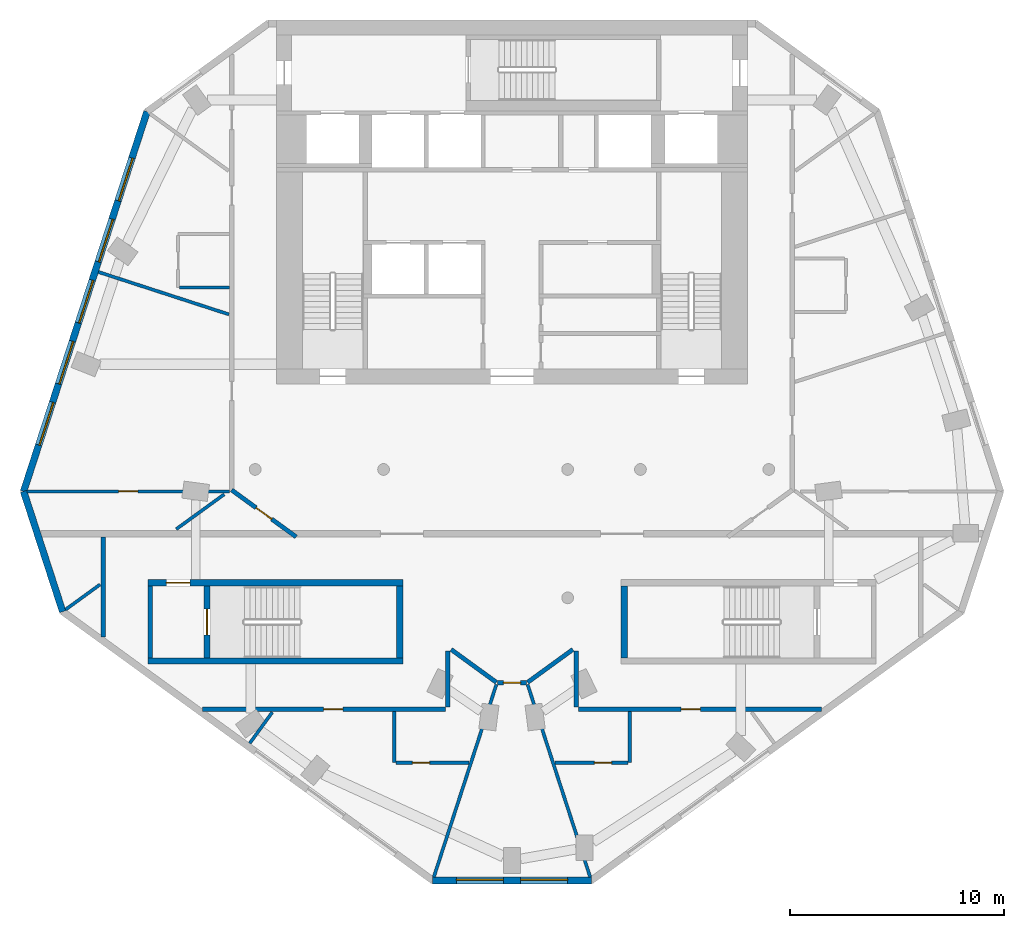
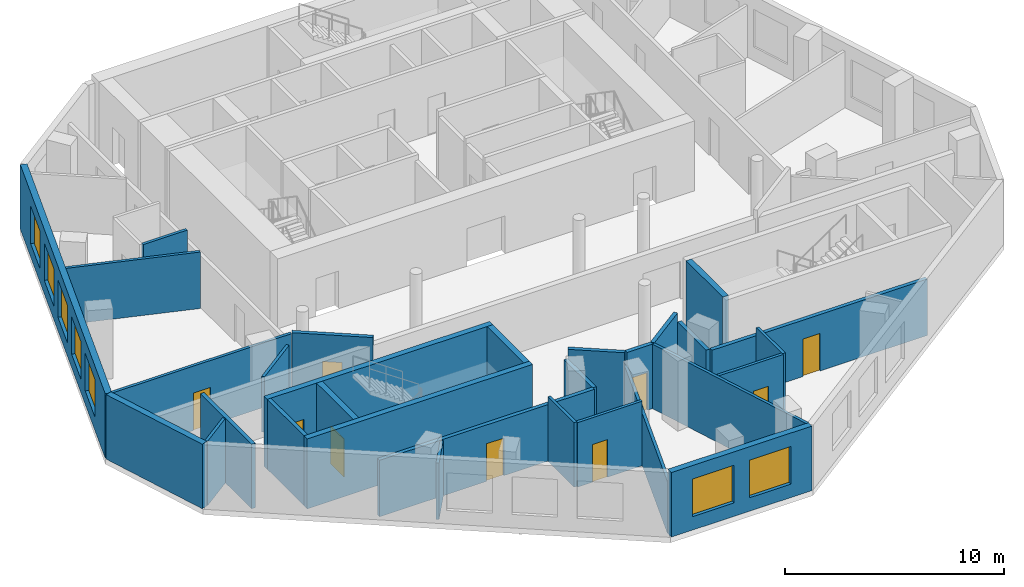
# One storey, part 2 of 8: 30 walls, 9 doors, 7 windows, 16 openings.
"""IFC4 building model written with IfcOpenShell, lengths in metres."""

import ifcopenshell
import ifcopenshell.guid

model = None  # the IFC model being written
_history = None  # IfcOwnerHistory: only IFC2X3 demands one
_inside = {}  # id of a spatial element -> (the spatial element, [elements in it])
_under = {}  # id of a project, library or spatial element -> (it, [spatial elements below it])
_declared = {}  # id of a project -> (the project, [libraries it declares])
_typed = {}  # id of a type object -> (the type object, [elements of that type])
_made_of = {}  # id of a material, layer set ... -> (it, [elements and type objects made of it])


def new_model(schema):
    """Start an empty IFC model of exactly this schema.

    Asked for "IFC4X3", IfcOpenShell would pick the latest addendum, in which some entities
    have other attributes; the version numbers below select the first issue.
    IFC2X3 requires an IfcOwnerHistory on every rooted entity: one is made here for all.
    """
    global model, _history
    if schema == "IFC4X3":
        model = ifcopenshell.file(schema_version=(4, 3, 0, 0))
    else:
        model = ifcopenshell.file(schema=schema)
    _inside.clear()
    _under.clear()
    _declared.clear()
    _typed.clear()
    _made_of.clear()
    _history = None
    if model.schema == "IFC2X3":
        org = make("IfcOrganization", Name="unknown")
        user = make(
            "IfcPersonAndOrganization",
            ThePerson=make("IfcPerson", FamilyName="unknown"),
            TheOrganization=org,
        )
        app = make(
            "IfcApplication",
            ApplicationDeveloper=org,
            Version="unknown",
            ApplicationFullName="unknown",
            ApplicationIdentifier="unknown",
        )
        _history = make(
            "IfcOwnerHistory",
            OwningUser=user,
            OwningApplication=app,
            ChangeAction="ADDED",
            CreationDate=0,
        )
    return model


def make(cls, **values):
    """One entity of the class cls with the attributes given. An attribute that is None is left unset."""
    return model.create_entity(
        cls, **{name: value for name, value in values.items() if value is not None}
    )


def rooted(cls, **values):
    """An entity with a GlobalId (a new one), such as an element, a storey or a relation."""
    return make(cls, GlobalId=ifcopenshell.guid.new(), OwnerHistory=_history, **values)


def si_unit(unit_type, name, prefix=None):
    """IfcSIUnit, for example si_unit("LENGTHUNIT", "METRE", prefix="MILLI")."""
    return make("IfcSIUnit", UnitType=unit_type, Prefix=prefix, Name=name)


def assignment(units):
    """IfcUnitAssignment: the units of a project."""
    return None if units is None else make("IfcUnitAssignment", Units=units)


def point(xyz):
    """IfcCartesianPoint."""
    return None if xyz is None else make("IfcCartesianPoint", Coordinates=xyz)


def direction(xyz):
    """IfcDirection."""
    return None if xyz is None else make("IfcDirection", DirectionRatios=xyz)


def frame(location, z_axis=None, x_axis=None):
    """IfcAxis2Placement3D, a coordinate frame: its origin and axes. An axis left out is left unset."""
    return make(
        "IfcAxis2Placement3D",
        Location=point(location),
        Axis=direction(z_axis),
        RefDirection=direction(x_axis),
    )


def frame_2d(location, x_axis=None):
    """IfcAxis2Placement2D, a coordinate frame in the plane: its origin and x axis."""
    return make(
        "IfcAxis2Placement2D", Location=point(location), RefDirection=direction(x_axis)
    )


def origin():
    """The frame at (0, 0, 0) with its axes left unset."""
    return frame((0.0, 0.0, 0.0))


def place(relative_to, where):
    """IfcLocalPlacement: puts the frame where relative to a parent placement (None: the world)."""
    return make(
        "IfcLocalPlacement", PlacementRelTo=relative_to, RelativePlacement=where
    )


def context(
    kind, dimensions, precision=None, world=None, true_north=None, identifier=None
):
    """IfcGeometricRepresentationContext, for example the 3D "Model" context."""
    return make(
        "IfcGeometricRepresentationContext",
        ContextIdentifier=identifier,
        ContextType=kind,
        CoordinateSpaceDimension=dimensions,
        Precision=precision,
        WorldCoordinateSystem=world,
        TrueNorth=true_north,
    )


def subcontext(parent, identifier, kind, view, scale=None):
    """IfcGeometricRepresentationSubContext, for example "Body" below "Model"."""
    return make(
        "IfcGeometricRepresentationSubContext",
        ContextIdentifier=identifier,
        ContextType=kind,
        ParentContext=parent,
        TargetScale=scale,
        TargetView=view,
    )


def project(units=None, contexts=None):
    """IfcProject with its units and contexts."""
    return rooted(
        "IfcProject",
        Name="project",
        RepresentationContexts=contexts,
        UnitsInContext=assignment(units),
    )


def spatial(cls, under=None, at=None, **own):
    """A site, building, storey or space (cls), placed at a placement, below another one or the project."""
    s = rooted(cls, ObjectPlacement=at, **own)
    if under is not None:
        _under.setdefault(under.id(), (under, []))[1].append(s)
    return s


def profile(cls, at=None, kind="AREA", **sizes):
    """A parametric profile (cls). Its sizes go by their IFC names, for example OverallWidth=200.0."""
    return make(cls, ProfileType=kind, Position=at, **sizes)


def rectangle(**sizes):
    """IfcRectangleProfileDef."""
    return profile("IfcRectangleProfileDef", **sizes)


def extrude(swept, where, along, depth):
    """IfcExtrudedAreaSolid: the profile swept, set in the frame where, extruded along a direction by depth."""
    return make(
        "IfcExtrudedAreaSolid",
        SweptArea=swept,
        Position=where,
        ExtrudedDirection=direction(along),
        Depth=depth,
    )


def shape(context_of_items, identifier, shape_type, items):
    """IfcShapeRepresentation: the items that make up one representation, for example the "Body"."""
    return make(
        "IfcShapeRepresentation",
        ContextOfItems=context_of_items,
        RepresentationIdentifier=identifier,
        RepresentationType=shape_type,
        Items=items,
    )


def material(Name=None, Category=None):
    """IfcMaterial."""
    return make("IfcMaterial", Name=Name, Category=Category)


def layer(
    of_material, thickness, ventilated=None, Name=None, Category=None, Priority=None
):
    """IfcMaterialLayer: one layer of a wall or slab, of a material (None: an air gap)."""
    return make(
        "IfcMaterialLayer",
        Material=of_material,
        LayerThickness=thickness,
        IsVentilated=ventilated,
        Name=Name,
        Category=Category,
        Priority=Priority,
    )


def layer_set(layers, Name=None):
    """IfcMaterialLayerSet."""
    return make("IfcMaterialLayerSet", MaterialLayers=layers, LayerSetName=Name)


def made_of(thing, what):
    """Note that an element or type object is made of a material, layer set ...; save() writes the relation."""
    if what is not None:
        _made_of.setdefault(what.id(), (what, []))[1].append(thing)
    return thing


def type_object(cls, material=None, **own):
    """A type object (cls), such as IfcWallType, which elements share."""
    return made_of(rooted(cls, **own), material)


def element(
    cls,
    number,
    at=None,
    inside=None,
    cuts=None,
    type_object=None,
    material=None,
    context=None,
    identifier="Body",
    shape_type=None,
    held_by="IfcProductDefinitionShape",
    body=None,
    shapes=None,
    **own,
):
    """One element of the class cls, such as IfcWall. Its Tag is "e" and its number.

    at: its placement. inside: the storey or other place that contains it. cuts: it is an
    opening in that element (IfcRelVoidsElement). A single representation is given by context,
    identifier, shape_type and body (its items); several are given by shapes. held_by: the class
    of the entity that holds the representations. save() writes the other relations.
    """
    e = rooted(cls, Tag="e%d" % number, ObjectPlacement=at, **own)
    if body is not None:
        shapes = [shape(context, identifier, shape_type, body)]
    if shapes is not None:
        e.Representation = make(held_by, Representations=shapes)
    if inside is not None:
        _inside.setdefault(inside.id(), (inside, []))[1].append(e)
    if cuts is not None:
        rooted(
            "IfcRelVoidsElement", RelatingBuildingElement=cuts, RelatedOpeningElement=e
        )
    if type_object is not None:
        _typed.setdefault(type_object.id(), (type_object, []))[1].append(e)
    return made_of(e, material)


def fill(opening, filler):
    """IfcRelFillsElement: the door or window that sits in an opening."""
    return rooted(
        "IfcRelFillsElement",
        RelatingOpeningElement=opening,
        RelatedBuildingElement=filler,
    )


def aggregate(whole, parts):
    """IfcRelAggregates: a whole, such as a stair, and the parts it consists of."""
    return rooted("IfcRelAggregates", RelatingObject=whole, RelatedObjects=parts)


def save(model, path):
    """Write the relations noted so far, then the file.

    IfcRelAggregates (storeys below a building ...), IfcRelContainedInSpatialStructure (elements
    in a storey), IfcRelDefinesByType, IfcRelAssociatesMaterial and IfcRelDeclares: one each for
    every whole, place, type object, material and project.
    """
    for whole, parts in _under.values():
        aggregate(whole, parts)
    for where, things in _inside.values():
        rooted(
            "IfcRelContainedInSpatialStructure",
            RelatedElements=things,
            RelatingStructure=where,
        )
    for kind, things in _typed.values():
        rooted("IfcRelDefinesByType", RelatedObjects=things, RelatingType=kind)
    for what, things in _made_of.values():
        rooted("IfcRelAssociatesMaterial", RelatedObjects=things, RelatingMaterial=what)
    for by, libraries in _declared.values():
        rooted("IfcRelDeclares", RelatingContext=by, RelatedDefinitions=libraries)
    model.write(path)


model = new_model("IFC4")

# Units and contexts
model_context = context("Model", 3, precision=1e-05, world=origin(), true_north=direction((0.0, 1.0)))
body_context = subcontext(model_context, "Body", "Model", "MODEL_VIEW")
ifc_project = project(units=[si_unit("LENGTHUNIT", "METRE"), si_unit("AREAUNIT", "SQUARE_METRE"), si_unit("VOLUMEUNIT", "CUBIC_METRE"), si_unit("PLANEANGLEUNIT", "RADIAN"), si_unit("MASSUNIT", "GRAM", prefix="KILO")], contexts=[model_context])

# Site, building, storey
site_placement = place(None, origin())
site = spatial("IfcSite", under=ifc_project, at=site_placement, CompositionType="ELEMENT")
building_placement = place(site_placement, origin())
building = spatial("IfcBuilding", under=site, at=building_placement, Name="White Candle Pilgrim Tower", CompositionType="ELEMENT")
storey_placement = place(building_placement, frame((0.0, 0.0, 287.300048828125)))
storey = spatial("IfcBuildingStorey", under=building, at=storey_placement, Name="L68", CompositionType="ELEMENT", Elevation=287.300048828125)

# Walls
ifc_material_1 = material(Name="Concrete C50/60", Category="concrete")
ifc_layer_1 = layer(ifc_material_1, 0.199951171875)
ifc_layer_set_1 = layer_set([ifc_layer_1], Name="Core wall 200 mm Concrete C50/60")
wall_type_1 = type_object("IfcWallType", Name="Core wall 200 mm Concrete C50/60", PredefinedType="SHEAR", material=ifc_layer_set_1)
wall_1_placement = place(storey_placement, frame((53.10009765625, 58.199951171875, 0.0), z_axis=(0.0, 0.0, 1.0), x_axis=(0.0, 1.0, 0.0)))
element("IfcWall", 1, at=wall_1_placement, inside=storey, type_object=wall_type_1, Name="WL-L68-C03", PredefinedType="SHEAR", context=body_context, shape_type="SweptSolid", body=[
    extrude(rectangle(XDim=3.35009765625, YDim=0.199951171875, at=frame_2d((1.675048828125, 0.0))), origin(), (0.0, 0.0, 1.0), 3.89990234375),
])
ifc_material_2 = material(Name="Gypsum board on steel studs", Category="steel")
ifc_layer_2 = layer(ifc_material_2, 0.199951171875)
ifc_layer_set_2 = layer_set([ifc_layer_2], Name="Corridor wall 200 mm EI 45")
wall_type_2 = type_object("IfcWallType", Name="Corridor wall 200 mm EI 45", PredefinedType="PARTITIONING", material=ifc_layer_set_2)
wall_2_placement = place(storey_placement, frame((50.89990234375, 59.1767578125, 0.0), z_axis=(0.0, 0.0, 1.0), x_axis=(0.0, 1.0, 0.0)))
element("IfcWall", 2, at=wall_2_placement, inside=storey, type_object=wall_type_2, Name="WL-L68-P002", PredefinedType="PARTITIONING", context=body_context, shape_type="SweptSolid", body=[
    extrude(rectangle(XDim=4.67333984375, YDim=0.199951171875, at=frame_2d((2.336669921875, 0.0))), origin(), (0.0, 0.0, 1.0), 3.599853515625),
])

# Wall, opening, door
wall_3_placement = place(storey_placement, frame((59.91552734375, 63.85009765625, 0.0), z_axis=(0.0, 0.0, 1.0), x_axis=(-0.809024883744, 0.587774393355, 0.0)))
wall_3 = element("IfcWall", 3, at=wall_3_placement, inside=storey, type_object=wall_type_2, Name="WL-L68-P003", PredefinedType="PARTITIONING", context=body_context, shape_type="SweptSolid", body=[
    extrude(rectangle(XDim=3.7275390625, YDim=0.199951171875, at=frame_2d((1.86376953125, 0.0))), origin(), (0.0, 0.0, 1.0), 3.599853515625),
])
opening_1_placement = place(wall_3_placement, frame((1.413818359375, 0.0, 0.0)))
opening_1 = element("IfcOpeningElement", 4, at=opening_1_placement, cuts=wall_3, Name="Opening T21-118", PredefinedType="OPENING", context=body_context, shape_type="SweptSolid", body=[
    extrude(rectangle(XDim=0.89990234375, YDim=2.10009765625, at=frame_2d((0.449951171875, 1.050048828125))), frame((0.0, 0.10986328125, 0.0), z_axis=(0.0, -1.0, 0.0), x_axis=(1.0, 0.0, 0.0)), (0.0, 0.0, 1.0), 0.219970703125),
])
ifc_material_3 = material(Name="Steel door leaf", Category="steel")
door_type_1 = type_object("IfcDoorType", Name="Fire door 900 x 2100 EI 30", OperationType="NOTDEFINED", PredefinedType="DOOR", material=ifc_material_3)
door_1_placement = place(opening_1_placement, origin())
door_1 = element("IfcDoor", 5, at=door_1_placement, inside=storey, type_object=door_type_1, Name="Door T21-118", OperationType="SINGLE_SWING_RIGHT", OverallHeight=2.10009765625, OverallWidth=0.89990234375, PredefinedType="DOOR", context=body_context, shape_type="SweptSolid", body=[
    extrude(rectangle(XDim=0.89990234375, YDim=2.10009765625, at=frame_2d((0.449951171875, 1.050048828125))), frame((0.0, 0.02490234375, 0.0), z_axis=(0.0, -1.0, 0.0), x_axis=(1.0, 0.0, 0.0)), (0.0, 0.0, 1.0), 0.050048828125),
])
fill(opening_1, door_1)

wall_4_placement = place(storey_placement, frame((84.452392578125, 55.800048828125, 0.0), z_axis=(0.0, 0.0, 1.0), x_axis=(-1.0, 0.0, 0.0)))
wall_4 = element("IfcWall", 6, at=wall_4_placement, inside=storey, type_object=wall_type_2, Name="WL-L68-P008", PredefinedType="PARTITIONING", context=body_context, shape_type="SweptSolid", body=[
    extrude(rectangle(XDim=11.352294921875, YDim=0.199951171875, at=frame_2d((5.67626953125, 0.0))), origin(), (0.0, 0.0, 1.0), 3.14990234375),
])
opening_2_placement = place(wall_4_placement, frame((5.654541015625, 0.0, 0.0)))
opening_2 = element("IfcOpeningElement", 7, at=opening_2_placement, cuts=wall_4, Name="Opening T21-106", PredefinedType="OPENING", context=body_context, shape_type="SweptSolid", body=[
    extrude(rectangle(XDim=0.89990234375, YDim=2.10009765625, at=frame_2d((0.449951171875, 1.050048828125))), frame((0.0, 0.10986328125, 0.0), z_axis=(0.0, -1.0, 0.0), x_axis=(1.0, 0.0, 0.0)), (0.0, 0.0, 1.0), 0.219970703125),
])
door_2_placement = place(opening_2_placement, origin())
door_2 = element("IfcDoor", 8, at=door_2_placement, inside=storey, type_object=door_type_1, Name="Door T21-106", OperationType="SINGLE_SWING_RIGHT", OverallHeight=2.10009765625, OverallWidth=0.89990234375, PredefinedType="DOOR", context=body_context, shape_type="SweptSolid", body=[
    extrude(rectangle(XDim=0.89990234375, YDim=2.10009765625, at=frame_2d((0.449951171875, 1.050048828125))), frame((0.0, 0.02490234375, 0.0), z_axis=(0.0, -1.0, 0.0), x_axis=(1.0, 0.0, 0.0)), (0.0, 0.0, 1.0), 0.050048828125),
])
fill(opening_2, door_2)

# Walls
wall_5_placement = place(storey_placement, frame((73.0, 55.89990234375, 0.0), z_axis=(0.0, 0.0, 1.0), x_axis=(0.0, 1.0, 0.0)))
element("IfcWall", 9, at=wall_5_placement, inside=storey, type_object=wall_type_2, Name="WL-L68-P009", PredefinedType="PARTITIONING", context=body_context, shape_type="SweptSolid", body=[
    extrude(rectangle(XDim=2.606689453125, YDim=0.199951171875, at=frame_2d((1.30322265625, 0.0))), origin(), (0.0, 0.0, 1.0), 3.099853515625),
])
wall_6_placement = place(storey_placement, frame((72.84130859375, 58.58740234375, 0.0), z_axis=(0.0, 0.0, 1.0), x_axis=(-0.809063502696, -0.587721233754, 0.0)))
element("IfcWall", 10, at=wall_6_placement, inside=storey, type_object=wall_type_2, Name="WL-L68-P010", PredefinedType="PARTITIONING", context=body_context, shape_type="SweptSolid", body=[
    extrude(rectangle(XDim=2.61083984375, YDim=0.199951171875, at=frame_2d((1.305419921875, 0.0))), origin(), (0.0, 0.0, 1.0), 3.599853515625),
])

# Wall, opening, door
wall_7_placement = place(storey_placement, frame((70.67041015625, 57.033935546875, 0.0), z_axis=(0.0, 0.0, 1.0), x_axis=(-1.0, 0.0, 0.0)))
wall_7 = element("IfcWall", 11, at=wall_7_placement, inside=storey, type_object=wall_type_2, Name="WL-L68-P011", PredefinedType="PARTITIONING", context=body_context, shape_type="SweptSolid", body=[
    extrude(rectangle(XDim=1.3408203125, YDim=0.199951171875, at=frame_2d((0.67041015625, 0.0))), origin(), (0.0, 0.0, 1.0), 3.599853515625),
])
opening_3_placement = place(wall_7_placement, frame((0.270263671875, 0.0, 0.0)))
opening_3 = element("IfcOpeningElement", 12, at=opening_3_placement, cuts=wall_7, Name="Opening T21-104", PredefinedType="OPENING", context=body_context, shape_type="SweptSolid", body=[
    extrude(rectangle(XDim=0.800048828125, YDim=2.10009765625, at=frame_2d((0.39990234375, 1.050048828125))), frame((0.0, 0.10986328125, 0.0), z_axis=(0.0, -1.0, 0.0), x_axis=(1.0, 0.0, 0.0)), (0.0, 0.0, 1.0), 0.219970703125),
])
door_type_2 = type_object("IfcDoorType", Name="Fire door 800 x 2100 EI 30", OperationType="NOTDEFINED", PredefinedType="DOOR", material=ifc_material_3)
door_3_placement = place(opening_3_placement, origin())
door_3 = element("IfcDoor", 13, at=door_3_placement, inside=storey, type_object=door_type_2, Name="Door T21-104", OperationType="SINGLE_SWING_RIGHT", OverallHeight=2.10009765625, OverallWidth=0.800048828125, PredefinedType="DOOR", context=body_context, shape_type="SweptSolid", body=[
    extrude(rectangle(XDim=0.800048828125, YDim=2.10009765625, at=frame_2d((0.39990234375, 1.050048828125))), frame((0.0, 0.02490234375, 0.0), z_axis=(0.0, -1.0, 0.0), x_axis=(1.0, 0.0, 0.0)), (0.0, 0.0, 1.0), 0.050048828125),
])
fill(opening_3, door_3)

# Walls
wall_8_placement = place(storey_placement, frame((69.27099609375, 57.052978515625, 0.0), z_axis=(0.0, 0.0, 1.0), x_axis=(-0.809063502696, 0.587721233754, 0.0)))
element("IfcWall", 14, at=wall_8_placement, inside=storey, type_object=wall_type_2, Name="WL-L68-P012", PredefinedType="PARTITIONING", context=body_context, shape_type="SweptSolid", body=[
    extrude(rectangle(XDim=2.61083984375, YDim=0.199951171875, at=frame_2d((1.305419921875, 0.0))), origin(), (0.0, 0.0, 1.0), 3.599853515625),
])
wall_9_placement = place(storey_placement, frame((67.0, 58.506591796875, 0.0), z_axis=(0.0, 0.0, 1.0), x_axis=(0.0, -1.0, 0.0)))
element("IfcWall", 15, at=wall_9_placement, inside=storey, type_object=wall_type_2, Name="WL-L68-P013", PredefinedType="PARTITIONING", context=body_context, shape_type="SweptSolid", body=[
    extrude(rectangle(XDim=2.606689453125, YDim=0.199951171875, at=frame_2d((1.30322265625, 0.0))), origin(), (0.0, 0.0, 1.0), 3.099853515625),
])

# Wall, opening, door
wall_10_placement = place(storey_placement, frame((66.89990234375, 55.800048828125, 0.0), z_axis=(0.0, 0.0, 1.0), x_axis=(-1.0, 0.0, 0.0)))
wall_10 = element("IfcWall", 16, at=wall_10_placement, inside=storey, type_object=wall_type_2, Name="WL-L68-P014", PredefinedType="PARTITIONING", context=body_context, shape_type="SweptSolid", body=[
    extrude(rectangle(XDim=11.352294921875, YDim=0.199951171875, at=frame_2d((5.67626953125, 0.0))), origin(), (0.0, 0.0, 1.0), 3.14990234375),
])
opening_4_placement = place(wall_10_placement, frame((4.7978515625, 0.0, 0.0)))
opening_4 = element("IfcOpeningElement", 17, at=opening_4_placement, cuts=wall_10, Name="Opening T21-103", PredefinedType="OPENING", context=body_context, shape_type="SweptSolid", body=[
    extrude(rectangle(XDim=0.89990234375, YDim=2.10009765625, at=frame_2d((0.449951171875, 1.050048828125))), frame((0.0, 0.10986328125, 0.0), z_axis=(0.0, -1.0, 0.0), x_axis=(1.0, 0.0, 0.0)), (0.0, 0.0, 1.0), 0.219970703125),
])
door_4_placement = place(opening_4_placement, origin())
door_4 = element("IfcDoor", 18, at=door_4_placement, inside=storey, type_object=door_type_1, Name="Door T21-103", OperationType="SINGLE_SWING_LEFT", OverallHeight=2.10009765625, OverallWidth=0.89990234375, PredefinedType="DOOR", context=body_context, shape_type="SweptSolid", body=[
    extrude(rectangle(XDim=0.89990234375, YDim=2.10009765625, at=frame_2d((0.449951171875, 1.050048828125))), frame((0.0, 0.02490234375, 0.0), z_axis=(0.0, -1.0, 0.0), x_axis=(1.0, 0.0, 0.0)), (0.0, 0.0, 1.0), 0.050048828125),
])
fill(opening_4, door_4)

# Wall
ifc_material_4 = material(Name="Precast concrete C40/50", Category="concrete")
ifc_layer_3 = layer(ifc_material_4, 0.320068359375)
ifc_layer_set_3 = layer_set([ifc_layer_3], Name="Facade wall EW1 precast concrete C40/50 pier wall with timber-lined reveals")
wall_type_3 = type_object("IfcWallType", Name="Facade wall EW1 precast concrete C40/50 pier wall with timber-lined reveals", PredefinedType="SOLIDWALL", material=ifc_layer_set_3)
wall_11_placement = place(storey_placement, frame((47.180419921875, 65.974853515625, 0.0), z_axis=(0.0, 0.0, 1.0), x_axis=(0.30899265151, -0.951064425427, 0.0)))
element("IfcWall", 19, at=wall_11_placement, inside=storey, type_object=wall_type_3, Name="Facade wall L68 W chamfer", PredefinedType="SOLIDWALL", context=body_context, shape_type="SweptSolid", body=[
    extrude(rectangle(XDim=5.9091796875, YDim=0.320068359375, at=frame_2d((2.95458984375, 0.0))), origin(), (0.0, 0.0, 1.0), 3.599853515625),
])

# Wall, openings, windows
wall_12_placement = place(storey_placement, frame((66.294921875, 47.7939453125, 0.0), z_axis=(0.0, 0.0, 1.0), x_axis=(1.0, 0.0, 0.0)))
wall_12 = element("IfcWall", 20, at=wall_12_placement, inside=storey, type_object=wall_type_3, Name="Facade wall L68 S chamfer", PredefinedType="SOLIDWALL", context=body_context, shape_type="SweptSolid", body=[
    extrude(rectangle(XDim=7.41015625, YDim=0.320068359375, at=frame_2d((3.705078125, 0.0))), origin(), (0.0, 0.0, 1.0), 3.599853515625),
])
opening_5_placement = place(wall_12_placement, frame((1.10498046875, 0.0, 0.75)))
opening_5 = element("IfcOpeningElement", 21, at=opening_5_placement, cuts=wall_12, Name="Opening W4", PredefinedType="OPENING", context=body_context, shape_type="SweptSolid", body=[
    extrude(rectangle(XDim=2.199951171875, YDim=2.10009765625, at=frame_2d((1.10009765625, 1.050048828125))), frame((0.0, 0.169921875, 0.0), z_axis=(0.0, -1.0, 0.0), x_axis=(1.0, 0.0, 0.0)), (0.0, 0.0, 1.0), 0.340087890625),
])
opening_6_placement = place(wall_12_placement, frame((4.10498046875, 0.0, 0.75)))
opening_6 = element("IfcOpeningElement", 22, at=opening_6_placement, cuts=wall_12, Name="Opening W4", PredefinedType="OPENING", context=body_context, shape_type="SweptSolid", body=[
    extrude(rectangle(XDim=2.199951171875, YDim=2.10009765625, at=frame_2d((1.10009765625, 1.050048828125))), frame((0.0, 0.169921875, 0.0), z_axis=(0.0, -1.0, 0.0), x_axis=(1.0, 0.0, 0.0)), (0.0, 0.0, 1.0), 0.340087890625),
])
ifc_material_5 = material(Name="Timber frame with triple glazing", Category="wood")
window_type_1 = type_object("IfcWindowType", Name="Window W4 2200x2100 timber frame triple glazing", PartitioningType="SINGLE_PANEL", PredefinedType="WINDOW", material=ifc_material_5)
window_1_placement = place(opening_5_placement, origin())
window_1 = element("IfcWindow", 23, at=window_1_placement, inside=storey, type_object=window_type_1, Name="Window W4 L68 S chamfer 1", OverallHeight=2.10009765625, OverallWidth=2.199951171875, PartitioningType="SINGLE_PANEL", PredefinedType="WINDOW", context=body_context, shape_type="SweptSolid", body=[
    extrude(rectangle(XDim=2.199951171875, YDim=2.10009765625, at=frame_2d((1.10009765625, 1.050048828125))), frame((0.0, 0.070068359375, 0.0), z_axis=(0.0, -1.0, 0.0), x_axis=(1.0, 0.0, 0.0)), (0.0, 0.0, 1.0), 0.06005859375),
])
fill(opening_5, window_1)
window_2_placement = place(opening_6_placement, origin())
window_2 = element("IfcWindow", 24, at=window_2_placement, inside=storey, type_object=window_type_1, Name="Window W4 L68 S chamfer 2", OverallHeight=2.10009765625, OverallWidth=2.199951171875, PartitioningType="SINGLE_PANEL", PredefinedType="WINDOW", context=body_context, shape_type="SweptSolid", body=[
    extrude(rectangle(XDim=2.199951171875, YDim=2.10009765625, at=frame_2d((1.10009765625, 1.050048828125))), frame((0.0, 0.070068359375, 0.0), z_axis=(0.0, -1.0, 0.0), x_axis=(1.0, 0.0, 0.0)), (0.0, 0.0, 1.0), 0.06005859375),
])
fill(opening_6, window_2)

wall_13_placement = place(storey_placement, frame((52.94677734375, 83.7216796875, 0.0), z_axis=(0.0, 0.0, 1.0), x_axis=(-0.3090200992, -0.951055507471, 0.0)))
wall_13 = element("IfcWall", 25, at=wall_13_placement, inside=storey, type_object=wall_type_3, Name="Facade wall L68 WNW", PredefinedType="SOLIDWALL", context=body_context, shape_type="SweptSolid", body=[
    extrude(rectangle(XDim=18.66015625, YDim=0.320068359375, at=frame_2d((9.330078125, 0.0))), origin(), (0.0, 0.0, 1.0), 3.599853515625),
])
opening_7_placement = place(wall_13_placement, frame((2.280029296875, 0.0, 0.75)))
opening_7 = element("IfcOpeningElement", 26, at=opening_7_placement, cuts=wall_13, Name="Opening W3", PredefinedType="OPENING", context=body_context, shape_type="SweptSolid", body=[
    extrude(rectangle(XDim=2.10009765625, YDim=2.10009765625, at=frame_2d((1.050048828125, 1.050048828125))), frame((0.0, 0.169921875, 0.0), z_axis=(0.0, -1.0, 0.0), x_axis=(1.0, 0.0, 0.0)), (0.0, 0.0, 1.0), 0.340087890625),
])
opening_8_placement = place(wall_13_placement, frame((5.280029296875, 0.0, 0.75)))
opening_8 = element("IfcOpeningElement", 27, at=opening_8_placement, cuts=wall_13, Name="Opening W3", PredefinedType="OPENING", context=body_context, shape_type="SweptSolid", body=[
    extrude(rectangle(XDim=2.10009765625, YDim=2.10009765625, at=frame_2d((1.050048828125, 1.050048828125))), frame((0.0, 0.169921875, 0.0), z_axis=(0.0, -1.0, 0.0), x_axis=(1.0, 0.0, 0.0)), (0.0, 0.0, 1.0), 0.340087890625),
])
opening_9_placement = place(wall_13_placement, frame((8.280029296875, 0.0, 0.75)))
opening_9 = element("IfcOpeningElement", 28, at=opening_9_placement, cuts=wall_13, Name="Opening W3", PredefinedType="OPENING", context=body_context, shape_type="SweptSolid", body=[
    extrude(rectangle(XDim=2.10009765625, YDim=2.10009765625, at=frame_2d((1.050048828125, 1.050048828125))), frame((0.0, 0.169921875, 0.0), z_axis=(0.0, -1.0, 0.0), x_axis=(1.0, 0.0, 0.0)), (0.0, 0.0, 1.0), 0.340087890625),
])
opening_10_placement = place(wall_13_placement, frame((11.280029296875, 0.0, 0.75)))
opening_10 = element("IfcOpeningElement", 29, at=opening_10_placement, cuts=wall_13, Name="Opening W3", PredefinedType="OPENING", context=body_context, shape_type="SweptSolid", body=[
    extrude(rectangle(XDim=2.10009765625, YDim=2.10009765625, at=frame_2d((1.050048828125, 1.050048828125))), frame((0.0, 0.169921875, 0.0), z_axis=(0.0, -1.0, 0.0), x_axis=(1.0, 0.0, 0.0)), (0.0, 0.0, 1.0), 0.340087890625),
])
opening_11_placement = place(wall_13_placement, frame((14.280029296875, 0.0, 0.75)))
opening_11 = element("IfcOpeningElement", 30, at=opening_11_placement, cuts=wall_13, Name="Opening W3", PredefinedType="OPENING", context=body_context, shape_type="SweptSolid", body=[
    extrude(rectangle(XDim=2.10009765625, YDim=2.10009765625, at=frame_2d((1.050048828125, 1.050048828125))), frame((0.0, 0.169921875, 0.0), z_axis=(0.0, -1.0, 0.0), x_axis=(1.0, 0.0, 0.0)), (0.0, 0.0, 1.0), 0.340087890625),
])
window_type_2 = type_object("IfcWindowType", Name="Window W3 2100x2100 timber frame triple glazing", PartitioningType="SINGLE_PANEL", PredefinedType="WINDOW", material=ifc_material_5)
window_3_placement = place(opening_7_placement, origin())
window_3 = element("IfcWindow", 31, at=window_3_placement, inside=storey, type_object=window_type_2, Name="Window W3 L68 WNW 1", OverallHeight=2.10009765625, OverallWidth=2.10009765625, PartitioningType="SINGLE_PANEL", PredefinedType="WINDOW", context=body_context, shape_type="SweptSolid", body=[
    extrude(rectangle(XDim=2.10009765625, YDim=2.10009765625, at=frame_2d((1.050048828125, 1.050048828125))), frame((0.0, 0.070068359375, 0.0), z_axis=(0.0, -1.0, 0.0), x_axis=(1.0, 0.0, 0.0)), (0.0, 0.0, 1.0), 0.06005859375),
])
fill(opening_7, window_3)
window_4_placement = place(opening_8_placement, origin())
window_4 = element("IfcWindow", 32, at=window_4_placement, inside=storey, type_object=window_type_2, Name="Window W3 L68 WNW 2", OverallHeight=2.10009765625, OverallWidth=2.10009765625, PartitioningType="SINGLE_PANEL", PredefinedType="WINDOW", context=body_context, shape_type="SweptSolid", body=[
    extrude(rectangle(XDim=2.10009765625, YDim=2.10009765625, at=frame_2d((1.050048828125, 1.050048828125))), frame((0.0, 0.070068359375, 0.0), z_axis=(0.0, -1.0, 0.0), x_axis=(1.0, 0.0, 0.0)), (0.0, 0.0, 1.0), 0.06005859375),
])
fill(opening_8, window_4)
window_5_placement = place(opening_9_placement, origin())
window_5 = element("IfcWindow", 33, at=window_5_placement, inside=storey, type_object=window_type_2, Name="Window W3 L68 WNW 3", OverallHeight=2.10009765625, OverallWidth=2.10009765625, PartitioningType="SINGLE_PANEL", PredefinedType="WINDOW", context=body_context, shape_type="SweptSolid", body=[
    extrude(rectangle(XDim=2.10009765625, YDim=2.10009765625, at=frame_2d((1.050048828125, 1.050048828125))), frame((0.0, 0.070068359375, 0.0), z_axis=(0.0, -1.0, 0.0), x_axis=(1.0, 0.0, 0.0)), (0.0, 0.0, 1.0), 0.06005859375),
])
fill(opening_9, window_5)
window_6_placement = place(opening_10_placement, origin())
window_6 = element("IfcWindow", 34, at=window_6_placement, inside=storey, type_object=window_type_2, Name="Window W3 L68 WNW 4", OverallHeight=2.10009765625, OverallWidth=2.10009765625, PartitioningType="SINGLE_PANEL", PredefinedType="WINDOW", context=body_context, shape_type="SweptSolid", body=[
    extrude(rectangle(XDim=2.10009765625, YDim=2.10009765625, at=frame_2d((1.050048828125, 1.050048828125))), frame((0.0, 0.070068359375, 0.0), z_axis=(0.0, -1.0, 0.0), x_axis=(1.0, 0.0, 0.0)), (0.0, 0.0, 1.0), 0.06005859375),
])
fill(opening_10, window_6)
window_7_placement = place(opening_11_placement, origin())
window_7 = element("IfcWindow", 35, at=window_7_placement, inside=storey, type_object=window_type_2, Name="Window W3 L68 WNW 5", OverallHeight=2.10009765625, OverallWidth=2.10009765625, PartitioningType="SINGLE_PANEL", PredefinedType="WINDOW", context=body_context, shape_type="SweptSolid", body=[
    extrude(rectangle(XDim=2.10009765625, YDim=2.10009765625, at=frame_2d((1.050048828125, 1.050048828125))), frame((0.0, 0.070068359375, 0.0), z_axis=(0.0, -1.0, 0.0), x_axis=(1.0, 0.0, 0.0)), (0.0, 0.0, 1.0), 0.06005859375),
])
fill(opening_11, window_7)

# Wall, opening, door
ifc_layer_4 = layer(ifc_material_2, 0.14990234375)
ifc_layer_set_4 = layer_set([ifc_layer_4], Name="Partition 150 mm EI 60")
wall_type_4 = type_object("IfcWallType", Name="Partition 150 mm EI 60", PredefinedType="PARTITIONING", material=ifc_layer_set_4)
wall_14_placement = place(storey_placement, frame((47.3486328125, 65.974853515625, 0.0), z_axis=(0.0, 0.0, 1.0), x_axis=(1.0, 0.0, 0.0)))
wall_14 = element("IfcWall", 36, at=wall_14_placement, inside=storey, type_object=wall_type_4, Name="WL-L68-P016", PredefinedType="PARTITIONING", context=body_context, shape_type="SweptSolid", body=[
    extrude(rectangle(XDim=9.451416015625, YDim=0.14990234375, at=frame_2d((4.7255859375, 0.0))), origin(), (0.0, 0.0, 1.0), 3.599853515625),
])
opening_12_placement = place(wall_14_placement, frame((4.267822265625, 0.0, 0.0)))
opening_12 = element("IfcOpeningElement", 37, at=opening_12_placement, cuts=wall_14, Name="Opening T21-120", PredefinedType="OPENING", context=body_context, shape_type="SweptSolid", body=[
    extrude(rectangle(XDim=0.89990234375, YDim=2.10009765625, at=frame_2d((0.449951171875, 1.050048828125))), frame((0.0, 0.0849609375, 0.0), z_axis=(0.0, -1.0, 0.0), x_axis=(1.0, 0.0, 0.0)), (0.0, 0.0, 1.0), 0.169921875),
])
door_5_placement = place(opening_12_placement, frame((0.89990234375, 0.0, 0.0), z_axis=(0.0, 0.0, 1.0), x_axis=(-1.0, 0.0, 0.0)))
door_5 = element("IfcDoor", 38, at=door_5_placement, inside=storey, type_object=door_type_1, Name="Door T21-120", OperationType="SINGLE_SWING_LEFT", OverallHeight=2.10009765625, OverallWidth=0.89990234375, PredefinedType="DOOR", context=body_context, shape_type="SweptSolid", body=[
    extrude(rectangle(XDim=0.89990234375, YDim=2.10009765625, at=frame_2d((0.449951171875, 1.050048828125))), frame((0.0, 0.02490234375, 0.0), z_axis=(0.0, -1.0, 0.0), x_axis=(1.0, 0.0, 0.0)), (0.0, 0.0, 1.0), 0.050048828125),
])
fill(opening_12, door_5)

# Walls
wall_15_placement = place(storey_placement, frame((49.142578125, 60.45361328125, 0.0), z_axis=(0.0, 0.0, 1.0), x_axis=(0.809016588302, 0.587785811204, 0.0)))
element("IfcWall", 39, at=wall_15_placement, inside=storey, type_object=wall_type_4, Name="WL-L68-P017", PredefinedType="PARTITIONING", context=body_context, shape_type="SweptSolid", body=[
    extrude(rectangle(XDim=1.994140625, YDim=0.14990234375, at=frame_2d((0.9970703125, 0.0))), origin(), (0.0, 0.0, 1.0), 3.599853515625),
])
wall_16_placement = place(storey_placement, frame((54.313720703125, 64.210693359375, 0.0), z_axis=(0.0, 0.0, 1.0), x_axis=(0.809002762913, 0.58780483972, 0.0)))
element("IfcWall", 40, at=wall_16_placement, inside=storey, type_object=wall_type_4, Name="WL-L68-P018", PredefinedType="PARTITIONING", context=body_context, shape_type="SweptSolid", body=[
    extrude(rectangle(XDim=2.770263671875, YDim=0.14990234375, at=frame_2d((1.38525390625, 0.0))), origin(), (0.0, 0.0, 1.0), 3.099853515625),
])
wall_17_placement = place(storey_placement, frame((66.346923828125, 47.953857421875, 0.0), z_axis=(0.0, 0.0, 1.0), x_axis=(0.309027729723, 0.951053028102, 0.0)))
element("IfcWall", 41, at=wall_17_placement, inside=storey, type_object=wall_type_4, Name="WL-L68-P019", PredefinedType="PARTITIONING", context=body_context, shape_type="SweptSolid", body=[
    extrude(rectangle(XDim=9.462158203125, YDim=0.14990234375, at=frame_2d((4.73095703125, 0.0))), origin(), (0.0, 0.0, 1.0), 2.89990234375),
])
wall_18_placement = place(storey_placement, frame((73.653076171875, 47.953857421875, 0.0), z_axis=(0.0, 0.0, 1.0), x_axis=(-0.309027729723, 0.951053028102, 0.0)))
element("IfcWall", 42, at=wall_18_placement, inside=storey, type_object=wall_type_4, Name="WL-L68-P020", PredefinedType="PARTITIONING", context=body_context, shape_type="SweptSolid", body=[
    extrude(rectangle(XDim=9.462158203125, YDim=0.14990234375, at=frame_2d((4.73095703125, 0.0))), origin(), (0.0, 0.0, 1.0), 3.599853515625),
])
wall_19_placement = place(storey_placement, frame((50.67919921875, 76.225341796875, 0.0), z_axis=(0.0, 0.0, 1.0), x_axis=(0.951058691075, -0.309010301012, 0.0)))
element("IfcWall", 43, at=wall_19_placement, inside=storey, type_object=wall_type_4, Name="WL-L68-P025", PredefinedType="PARTITIONING", context=body_context, shape_type="SweptSolid", body=[
    extrude(rectangle(XDim=6.411376953125, YDim=0.14990234375, at=frame_2d((3.20556640625, 0.0))), origin(), (0.0, 0.0, 1.0), 3.14990234375),
])
wall_20_placement = place(storey_placement, frame((56.800048828125, 75.504150390625, 0.0), z_axis=(0.0, 0.0, 1.0), x_axis=(-1.0, 0.0, 0.0)))
element("IfcWall", 44, at=wall_20_placement, inside=storey, type_object=wall_type_4, Name="WL-L68-P028", PredefinedType="PARTITIONING", context=body_context, shape_type="SweptSolid", body=[
    extrude(rectangle(XDim=2.324951171875, YDim=0.14990234375, at=frame_2d((1.16259765625, 0.0))), origin(), (0.0, 0.0, 1.0), 3.599853515625),
])
wall_21_placement = place(storey_placement, frame((57.74462890625, 54.20361328125, 0.0), z_axis=(0.0, 0.0, 1.0), x_axis=(0.58776731683, 0.809030024947, 0.0)))
element("IfcWall", 45, at=wall_21_placement, inside=storey, type_object=wall_type_4, Name="WL-L68-P029", PredefinedType="PARTITIONING", context=body_context, shape_type="SweptSolid", body=[
    extrude(rectangle(XDim=1.795166015625, YDim=0.14990234375, at=frame_2d((0.8974609375, 0.0))), origin(), (0.0, 0.0, 1.0), 3.14990234375),
])
wall_22_placement = place(storey_placement, frame((64.5, 55.699951171875, 0.0), z_axis=(0.0, 0.0, 1.0), x_axis=(0.0, -1.0, 0.0)))
element("IfcWall", 46, at=wall_22_placement, inside=storey, type_object=wall_type_4, Name="WL-L68-P030", PredefinedType="PARTITIONING", context=body_context, shape_type="SweptSolid", body=[
    extrude(rectangle(XDim=2.39990234375, YDim=0.14990234375, at=frame_2d((1.199951171875, 0.0))), origin(), (0.0, 0.0, 1.0), 3.599853515625),
])

# Wall, opening, door
wall_23_placement = place(storey_placement, frame((67.980712890625, 53.300048828125, 0.0), z_axis=(0.0, 0.0, 1.0), x_axis=(-1.0, 0.0, 0.0)))
wall_23 = element("IfcWall", 47, at=wall_23_placement, inside=storey, type_object=wall_type_4, Name="WL-L68-P031", PredefinedType="PARTITIONING", context=body_context, shape_type="SweptSolid", body=[
    extrude(rectangle(XDim=3.40576171875, YDim=0.14990234375, at=frame_2d((1.702880859375, 0.0))), origin(), (0.0, 0.0, 1.0), 3.599853515625),
])
opening_13_placement = place(wall_23_placement, frame((1.830810546875, 0.0, 0.0)))
opening_13 = element("IfcOpeningElement", 48, at=opening_13_placement, cuts=wall_23, Name="Opening T21-102", PredefinedType="OPENING", context=body_context, shape_type="SweptSolid", body=[
    extrude(rectangle(XDim=0.800048828125, YDim=2.10009765625, at=frame_2d((0.39990234375, 1.050048828125))), frame((0.0, 0.0849609375, 0.0), z_axis=(0.0, -1.0, 0.0), x_axis=(1.0, 0.0, 0.0)), (0.0, 0.0, 1.0), 0.169921875),
])
door_6_placement = place(opening_13_placement, origin())
door_6 = element("IfcDoor", 49, at=door_6_placement, inside=storey, type_object=door_type_2, Name="Door T21-102", OperationType="SINGLE_SWING_RIGHT", OverallHeight=2.10009765625, OverallWidth=0.800048828125, PredefinedType="DOOR", context=body_context, shape_type="SweptSolid", body=[
    extrude(rectangle(XDim=0.800048828125, YDim=2.10009765625, at=frame_2d((0.39990234375, 1.050048828125))), frame((0.0, 0.02490234375, 0.0), z_axis=(0.0, -1.0, 0.0), x_axis=(1.0, 0.0, 0.0)), (0.0, 0.0, 1.0), 0.050048828125),
])
fill(opening_13, door_6)

# Wall
wall_24_placement = place(storey_placement, frame((75.5, 55.699951171875, 0.0), z_axis=(0.0, 0.0, 1.0), x_axis=(0.0, -1.0, 0.0)))
element("IfcWall", 50, at=wall_24_placement, inside=storey, type_object=wall_type_4, Name="WL-L68-P033", PredefinedType="PARTITIONING", context=body_context, shape_type="SweptSolid", body=[
    extrude(rectangle(XDim=2.39990234375, YDim=0.14990234375, at=frame_2d((1.199951171875, 0.0))), origin(), (0.0, 0.0, 1.0), 3.599853515625),
])

# Wall, opening, door
wall_25_placement = place(storey_placement, frame((72.019287109375, 53.300048828125, 0.0), z_axis=(0.0, 0.0, 1.0), x_axis=(1.0, 0.0, 0.0)))
wall_25 = element("IfcWall", 51, at=wall_25_placement, inside=storey, type_object=wall_type_4, Name="WL-L68-P034", PredefinedType="PARTITIONING", context=body_context, shape_type="SweptSolid", body=[
    extrude(rectangle(XDim=3.40576171875, YDim=0.14990234375, at=frame_2d((1.702880859375, 0.0))), origin(), (0.0, 0.0, 1.0), 3.599853515625),
])
opening_14_placement = place(wall_25_placement, frame((1.830810546875, 0.0, 0.0)))
opening_14 = element("IfcOpeningElement", 52, at=opening_14_placement, cuts=wall_25, Name="Opening T21-105", PredefinedType="OPENING", context=body_context, shape_type="SweptSolid", body=[
    extrude(rectangle(XDim=0.800048828125, YDim=2.10009765625, at=frame_2d((0.39990234375, 1.050048828125))), frame((0.0, 0.0849609375, 0.0), z_axis=(0.0, -1.0, 0.0), x_axis=(1.0, 0.0, 0.0)), (0.0, 0.0, 1.0), 0.169921875),
])
door_7_placement = place(opening_14_placement, frame((0.800048828125, 0.0, 0.0), z_axis=(0.0, 0.0, 1.0), x_axis=(-1.0, 0.0, 0.0)))
door_7 = element("IfcDoor", 53, at=door_7_placement, inside=storey, type_object=door_type_2, Name="Door T21-105", OperationType="SINGLE_SWING_RIGHT", OverallHeight=2.10009765625, OverallWidth=0.800048828125, PredefinedType="DOOR", context=body_context, shape_type="SweptSolid", body=[
    extrude(rectangle(XDim=0.800048828125, YDim=2.10009765625, at=frame_2d((0.39990234375, 1.050048828125))), frame((0.0, 0.02490234375, 0.0), z_axis=(0.0, -1.0, 0.0), x_axis=(1.0, 0.0, 0.0)), (0.0, 0.0, 1.0), 0.050048828125),
])
fill(opening_14, door_7)

# Wall
ifc_layer_5 = layer(ifc_material_1, 0.300048828125)
ifc_layer_set_5 = layer_set([ifc_layer_5], Name="Stair shaft wall 300 mm Concrete C50/60")
wall_type_5 = type_object("IfcWallType", Name="Stair shaft wall 300 mm Concrete C50/60", PredefinedType="SHEAR", material=ifc_layer_set_5)
wall_26_placement = place(storey_placement, frame((53.0, 58.050048828125, 0.0), z_axis=(0.0, 0.0, 1.0), x_axis=(1.0, 0.0, 0.0)))
element("IfcWall", 54, at=wall_26_placement, inside=storey, type_object=wall_type_5, Name="WL-L68-C01", PredefinedType="SHEAR", context=body_context, shape_type="SweptSolid", body=[
    extrude(rectangle(XDim=11.89990234375, YDim=0.300048828125, at=frame_2d((5.949951171875, 0.0))), origin(), (0.0, 0.0, 1.0), 3.89990234375),
])

# Wall, opening, door
wall_27_placement = place(storey_placement, frame((55.75, 58.199951171875, 0.0), z_axis=(0.0, 0.0, 1.0), x_axis=(0.0, 1.0, 0.0)))
wall_27 = element("IfcWall", 55, at=wall_27_placement, inside=storey, type_object=wall_type_5, Name="WL-L68-C04", PredefinedType="SHEAR", context=body_context, shape_type="SweptSolid", body=[
    extrude(rectangle(XDim=3.35009765625, YDim=0.300048828125, at=frame_2d((1.675048828125, 0.0))), origin(), (0.0, 0.0, 1.0), 3.89990234375),
])
opening_15_placement = place(wall_27_placement, frame((1.074951171875, 0.0, 0.0)))
opening_15 = element("IfcOpeningElement", 56, at=opening_15_placement, cuts=wall_27, Name="Opening T21-011", PredefinedType="OPENING", context=body_context, shape_type="SweptSolid", body=[
    extrude(rectangle(XDim=1.199951171875, YDim=2.10009765625, at=frame_2d((0.60009765625, 1.050048828125))), frame((0.0, 0.159912109375, 0.0), z_axis=(0.0, -1.0, 0.0), x_axis=(1.0, 0.0, 0.0)), (0.0, 0.0, 1.0), 0.320068359375),
])
door_type_3 = type_object("IfcDoorType", Name="Fire door 1200 x 2100 EI 60", OperationType="NOTDEFINED", PredefinedType="DOOR", material=ifc_material_3)
door_8_placement = place(opening_15_placement, frame((1.199951171875, 0.0, 0.0), z_axis=(0.0, 0.0, 1.0), x_axis=(-1.0, 0.0, 0.0)))
door_8 = element("IfcDoor", 57, at=door_8_placement, inside=storey, type_object=door_type_3, Name="Door T21-011", OperationType="SINGLE_SWING_RIGHT", OverallHeight=2.10009765625, OverallWidth=1.199951171875, PredefinedType="DOOR", context=body_context, shape_type="SweptSolid", body=[
    extrude(rectangle(XDim=1.199951171875, YDim=2.10009765625, at=frame_2d((0.60009765625, 1.050048828125))), frame((0.0, 0.02490234375, 0.0), z_axis=(0.0, -1.0, 0.0), x_axis=(1.0, 0.0, 0.0)), (0.0, 0.0, 1.0), 0.050048828125),
])
fill(opening_15, door_8)

# Walls
for number, where, z_axis, x_axis, name in (
    (58, (64.75, 58.199951171875, 0.0), (0.0, 0.0, 1.0), (0.0, 1.0, 0.0), "WL-L68-C05"),
    (59, (75.25, 58.199951171875, 0.0), (0.0, 0.0, 1.0), (0.0, 1.0, 0.0), "WL-L68-C06"),
):
    element("IfcWall", number, at=place(storey_placement, frame(where, z_axis=z_axis, x_axis=x_axis)), inside=storey, type_object=wall_type_5, Name=name, PredefinedType="SHEAR", context=body_context, shape_type="SweptSolid", body=[
        extrude(rectangle(XDim=3.35009765625, YDim=0.300048828125, at=frame_2d((1.675048828125, 0.0))), origin(), (0.0, 0.0, 1.0), 3.89990234375),
    ])

# Wall, opening, door
wall_28_placement = place(storey_placement, frame((53.0, 61.699951171875, 0.0), z_axis=(0.0, 0.0, 1.0), x_axis=(1.0, 0.0, 0.0)))
wall_28 = element("IfcWall", 60, at=wall_28_placement, inside=storey, type_object=wall_type_5, Name="WL-L68-C09", PredefinedType="SHEAR", context=body_context, shape_type="SweptSolid", body=[
    extrude(rectangle(XDim=11.89990234375, YDim=0.300048828125, at=frame_2d((5.949951171875, 0.0))), origin(), (0.0, 0.0, 1.0), 3.89990234375),
])
opening_16_placement = place(wall_28_placement, frame((0.85009765625, 0.0, 0.0)))
opening_16 = element("IfcOpeningElement", 61, at=opening_16_placement, cuts=wall_28, Name="Opening T21-010", PredefinedType="OPENING", context=body_context, shape_type="SweptSolid", body=[
    extrude(rectangle(XDim=1.10009765625, YDim=2.10009765625, at=frame_2d((0.550048828125, 1.050048828125))), frame((0.0, 0.159912109375, 0.0), z_axis=(0.0, -1.0, 0.0), x_axis=(1.0, 0.0, 0.0)), (0.0, 0.0, 1.0), 0.320068359375),
])
door_type_4 = type_object("IfcDoorType", Name="Fire door 1100 x 2100 EI 60", OperationType="NOTDEFINED", PredefinedType="DOOR", material=ifc_material_3)
door_9_placement = place(opening_16_placement, frame((1.10009765625, 0.0, 0.0), z_axis=(0.0, 0.0, 1.0), x_axis=(-1.0, 0.0, 0.0)))
door_9 = element("IfcDoor", 62, at=door_9_placement, inside=storey, type_object=door_type_4, Name="Door T21-010", OperationType="SINGLE_SWING_LEFT", OverallHeight=2.10009765625, OverallWidth=1.10009765625, PredefinedType="DOOR", context=body_context, shape_type="SweptSolid", body=[
    extrude(rectangle(XDim=1.10009765625, YDim=2.10009765625, at=frame_2d((0.550048828125, 1.050048828125))), frame((0.0, 0.02490234375, 0.0), z_axis=(0.0, -1.0, 0.0), x_axis=(1.0, 0.0, 0.0)), (0.0, 0.0, 1.0), 0.050048828125),
])
fill(opening_16, door_9)

save(model, "model.ifc")
